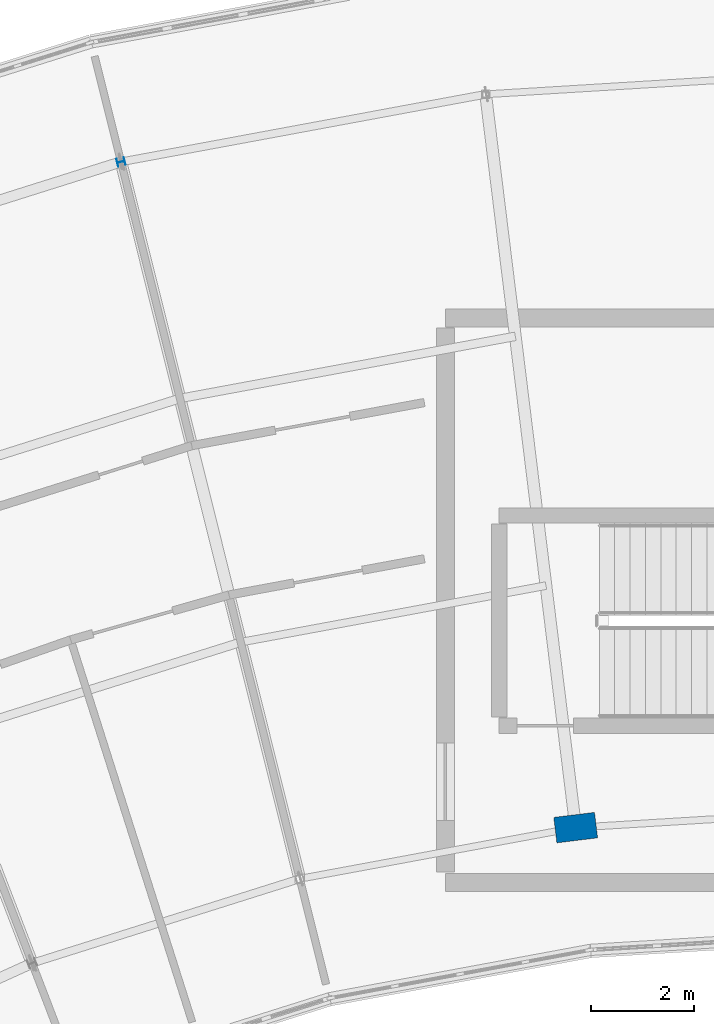
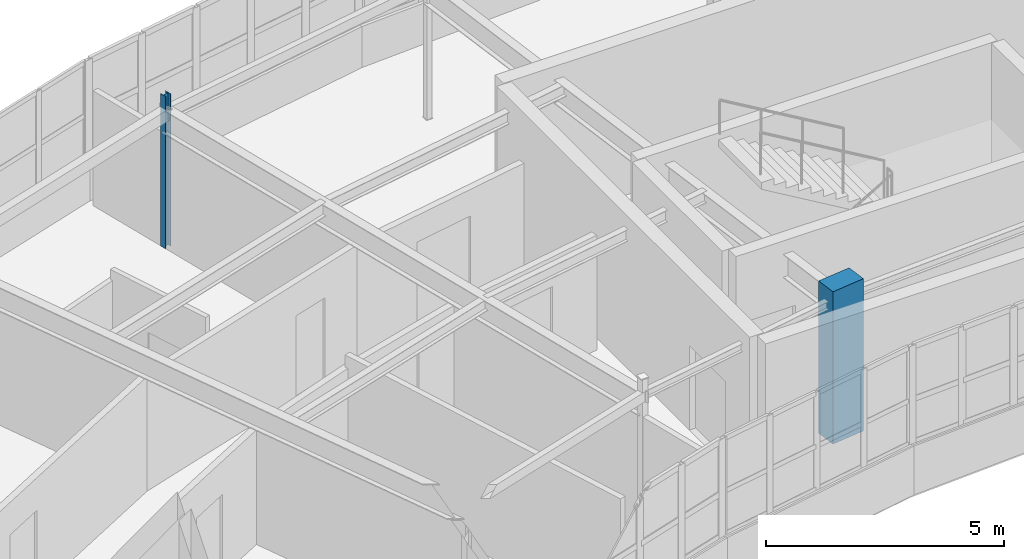
# One storey, part 8 of 65: 2 columns.
"""IFC4 building model written with IfcOpenShell, lengths in metres."""

from ifc_helpers import new_model, si_unit, direction, frame, origin, origin_2d, place, context, subcontext, project, spatial, rectangle, i_section, extrude, material, material_profile, profile_set, type_object, element, save


model = new_model("IFC4")

# Units and contexts
model_context = context("Model", 3, precision=1e-05, world=origin(), true_north=direction((0.0, 1.0)))
body_context = subcontext(model_context, "Body", "Model", "MODEL_VIEW")
ifc_project = project(units=[si_unit("LENGTHUNIT", "METRE"), si_unit("AREAUNIT", "SQUARE_METRE"), si_unit("VOLUMEUNIT", "CUBIC_METRE"), si_unit("PLANEANGLEUNIT", "RADIAN"), si_unit("MASSUNIT", "GRAM", prefix="KILO")], contexts=[model_context])

# Site, building, storey
site_placement = place(None, origin())
site = spatial("IfcSite", under=ifc_project, at=site_placement, CompositionType="ELEMENT")
building_placement = place(site_placement, origin())
building = spatial("IfcBuilding", under=site, at=building_placement, Name="Tarnwether General Hospital", CompositionType="ELEMENT")
storey_placement = place(building_placement, frame((0.0, 0.0, 22.199951171875)))
storey = spatial("IfcBuildingStorey", under=building, at=storey_placement, Name="L05", CompositionType="ELEMENT", Elevation=22.199951171875)

# Columns
ifc_material_1 = material(Name="Concrete 50 MPa", Category="concrete")
ifc_material_profile_1 = material_profile(ifc_material_1, rectangle(XDim=0.5, YDim=0.800048828125, at=origin_2d()), Name="RC-PIL-500x800")
ifc_profile_set_1 = profile_set([ifc_material_profile_1], Name="Concrete 50 MPa")
column_type_1 = type_object("IfcColumnType", Name="COL-23", PredefinedType="PILASTER", material=ifc_profile_set_1)
column_1_placement = place(storey_placement, frame((86.5400390625, 107.466064453125, 0.0), z_axis=(0.0, 0.0, 1.0), x_axis=(-0.121869343405, 0.992546151641, 0.0)))
element("IfcColumn", 1, at=column_1_placement, inside=storey, type_object=column_type_1, Name="Column COLG-L05-8654_10747", PredefinedType="PILASTER", context=body_context, shape_type="SweptSolid", body=[
    extrude(rectangle(XDim=0.5, YDim=0.800048828125, at=origin_2d()), origin(), (0.0, 0.0, 1.0), 3.900146484375),
])
ifc_material_2 = material(Name="Steel Grade 350 (350 MPa)", Category="steel")
ifc_material_profile_2 = material_profile(ifc_material_2, i_section(OverallWidth=0.152099609375, OverallDepth=0.152099609375, WebThickness=0.006103515625, FlangeThickness=0.0068359375, at=origin_2d()), Name="150UC23.4")
ifc_profile_set_2 = profile_set([ifc_material_profile_2], Name="Steel Grade 350 (350 MPa)")
column_type_2 = type_object("IfcColumnType", Name="COL-32", PredefinedType="COLUMN", material=ifc_profile_set_2)
column_2_placement = place(storey_placement, frame((77.677978515625, 120.44189453125, 0.0), z_axis=(0.0, 0.0, 1.0), x_axis=(-0.2419218956, 0.970295726276, 0.0)))
element("IfcColumn", 2, at=column_2_placement, inside=storey, type_object=column_type_2, Name="Column COLG-L05-7768_12044", PredefinedType="COLUMN", context=body_context, shape_type="SweptSolid", body=[
    extrude(i_section(OverallWidth=0.152099609375, OverallDepth=0.152099609375, WebThickness=0.006103515625, FlangeThickness=0.0068359375, at=origin_2d()), origin(), (0.0, 0.0, 1.0), 3.900146484375),
])

save(model, "model.ifc")
